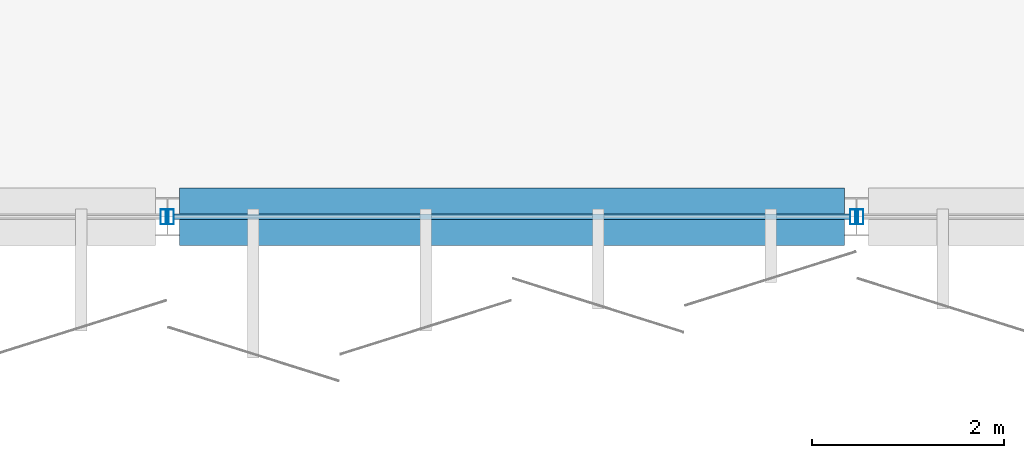
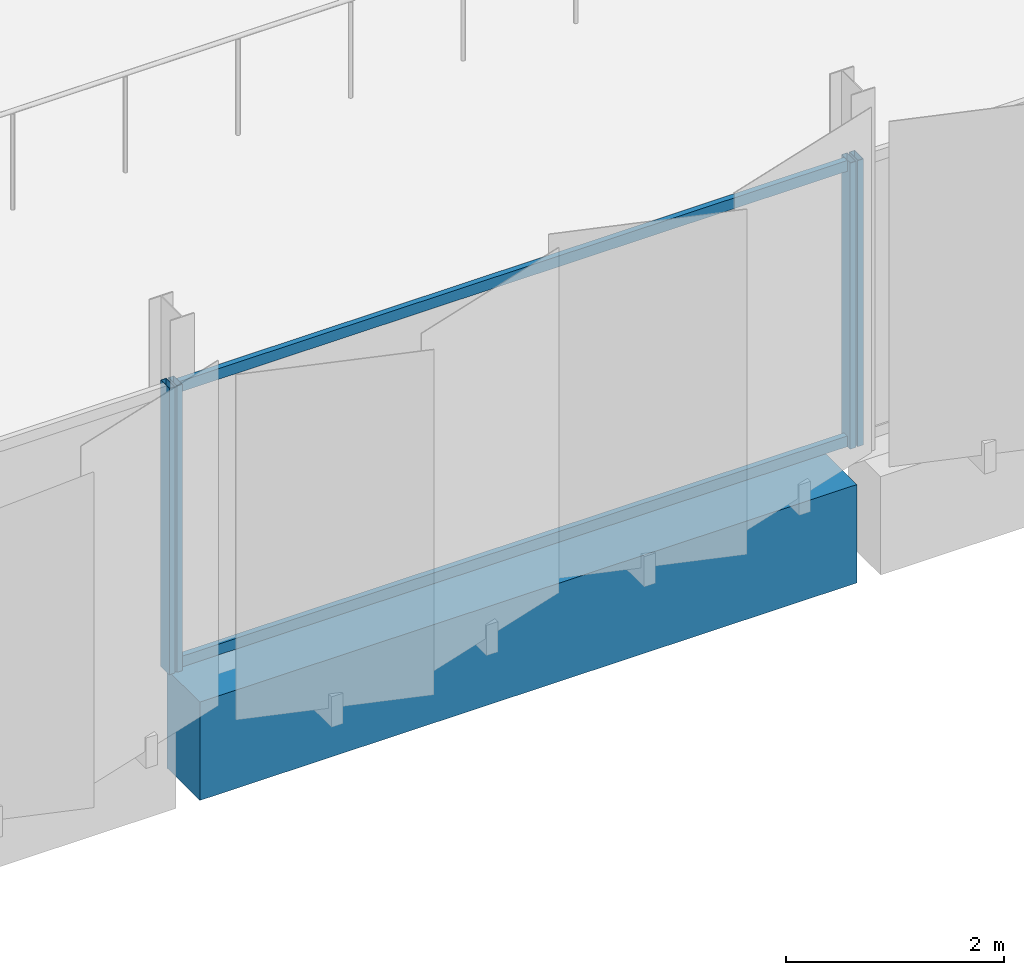
# One storey, part 40 of 107: 6 members, 1 beam, 3 elements without a shape of their own.
"""IFC4 building model written with IfcOpenShell, lengths in metres."""

from ifc_helpers import new_model, si_unit, direction, frame, origin, origin_2d, place, context, subcontext, project, spatial, rectangle, hollow_rectangle, extrude, material, layer, layer_set, material_profile, profile_set, type_object, element, aggregate, save


model = new_model("IFC4")

# Units and contexts
model_context = context("Model", 3, precision=1e-05, world=origin(), true_north=direction((0.0, 1.0)))
body_context = subcontext(model_context, "Body", "Model", "MODEL_VIEW")
ifc_project = project(units=[si_unit("LENGTHUNIT", "METRE"), si_unit("AREAUNIT", "SQUARE_METRE"), si_unit("VOLUMEUNIT", "CUBIC_METRE"), si_unit("PLANEANGLEUNIT", "RADIAN"), si_unit("MASSUNIT", "GRAM", prefix="KILO")], contexts=[model_context])

# Site, building, storey
site_placement = place(None, origin())
site = spatial("IfcSite", under=ifc_project, at=site_placement, CompositionType="ELEMENT")
building_placement = place(site_placement, origin())
building = spatial("IfcBuilding", under=site, at=building_placement, Name="Kangsadwip Square Police Headquarters", CompositionType="ELEMENT")
storey_placement = place(building_placement, frame((0.0, 0.0, 5.39990234375)))
storey = spatial("IfcBuildingStorey", under=building, at=storey_placement, Name="L01", CompositionType="ELEMENT", Elevation=5.39990234375)

# Curtain wall, member
ifc_material_1 = material(Name="Thermally broken anodised aluminium AW-6063-T6", Category="aluminium")
ifc_layer = layer(ifc_material_1, 0.159912109375)
ifc_layer_set = layer_set([ifc_layer], Name="Thermally broken anodised aluminium AW-6063-T6")
curtain_wall_type = type_object("IfcCurtainWallType", Name="CourtScreen7180x3200", PredefinedType="USERDEFINED", material=ifc_layer_set)
curtain_wall_1_placement = place(storey_placement, origin())
curtain_wall_1 = element("IfcCurtainWall", 1, at=curtain_wall_1_placement, inside=storey, type_object=curtain_wall_type, Name="Curtain Wall CW-L01-0576-0864", ObjectType="GLAZED_SCREEN", PredefinedType="USERDEFINED")
ifc_material_2 = material(Name="Thermally broken anodised aluminium AW-6063-T6", Category="aluminium")
ifc_material_profile_1 = material_profile(ifc_material_2, hollow_rectangle(XDim=0.06005859375, YDim=0.159912109375, WallThickness=0.00390625, at=origin_2d()), Name="CWM 160X60X4")
ifc_profile_set_1 = profile_set([ifc_material_profile_1], Name="Thermally broken anodised aluminium AW-6063-T6")
member_type_1 = type_object("IfcMemberType", Name="CwMullion135x60", PredefinedType="MULLION", material=ifc_profile_set_1)
member_1_placement = place(storey_placement, frame((64.760009765625, 86.39990234375, 0.0), z_axis=(0.0, 0.0, 1.0), x_axis=(1.0, 0.0, 0.0)))
member_1 = element("IfcMember", 2, at=member_1_placement, type_object=member_type_1, Name="CW-17 mullion 2", PredefinedType="MULLION", context=body_context, shape_type="SweptSolid", body=[
    extrude(hollow_rectangle(XDim=0.06005859375, YDim=0.159912109375, WallThickness=0.00390625, at=origin_2d()), origin(), (0.0, 0.0, 1.0), 3.2001953125),
])
aggregate(curtain_wall_1, [member_1])

# Curtain wall, members
curtain_wall_2_placement = place(storey_placement, origin())
curtain_wall_2 = element("IfcCurtainWall", 3, at=curtain_wall_2_placement, inside=storey, type_object=curtain_wall_type, Name="Curtain Wall CW-L01-0648-0864", ObjectType="GLAZED_SCREEN", PredefinedType="USERDEFINED")
member_2_placement = place(storey_placement, frame((64.840087890625, 86.39990234375, 0.0), z_axis=(0.0, 0.0, 1.0), x_axis=(1.0, 0.0, 0.0)))
member_2 = element("IfcMember", 4, at=member_2_placement, type_object=member_type_1, Name="CW-17 mullion 1", PredefinedType="MULLION", context=body_context, shape_type="SweptSolid", body=[
    extrude(hollow_rectangle(XDim=0.06005859375, YDim=0.159912109375, WallThickness=0.00390625, at=origin_2d()), origin(), (0.0, 0.0, 1.0), 3.2001953125),
])
member_3_placement = place(storey_placement, frame((71.9599609375, 86.39990234375, 0.0), z_axis=(0.0, 0.0, 1.0), x_axis=(1.0, 0.0, 0.0)))
member_3 = element("IfcMember", 5, at=member_3_placement, type_object=member_type_1, Name="CW-17 mullion 2", PredefinedType="MULLION", context=body_context, shape_type="SweptSolid", body=[
    extrude(hollow_rectangle(XDim=0.06005859375, YDim=0.159912109375, WallThickness=0.00390625, at=origin_2d()), origin(), (0.0, 0.0, 1.0), 3.2001953125),
])

# Curtain wall, member
curtain_wall_3_placement = place(storey_placement, origin())
curtain_wall_3 = element("IfcCurtainWall", 6, at=curtain_wall_3_placement, inside=storey, type_object=curtain_wall_type, Name="Curtain Wall CW-L01-0720-0864", ObjectType="GLAZED_SCREEN", PredefinedType="USERDEFINED")
member_4_placement = place(storey_placement, frame((72.0400390625, 86.39990234375, 0.0), z_axis=(0.0, 0.0, 1.0), x_axis=(1.0, 0.0, 0.0)))
member_4 = element("IfcMember", 7, at=member_4_placement, type_object=member_type_1, Name="CW-17 mullion 1", PredefinedType="MULLION", context=body_context, shape_type="SweptSolid", body=[
    extrude(hollow_rectangle(XDim=0.06005859375, YDim=0.159912109375, WallThickness=0.00390625, at=origin_2d()), origin(), (0.0, 0.0, 1.0), 3.2001953125),
])
aggregate(curtain_wall_3, [member_4])

# Member
ifc_material_3 = material(Name="Thermally broken anodised aluminium AW-6063-T6", Category="aluminium")
ifc_material_profile_2 = material_profile(ifc_material_3, hollow_rectangle(XDim=0.06005859375, YDim=0.1201171875, WallThickness=0.00390625, at=origin_2d()), Name="CWT 120X60X4")
ifc_profile_set_2 = profile_set([ifc_material_profile_2], Name="Thermally broken anodised aluminium AW-6063-T6")
member_type_2 = type_object("IfcMemberType", Name="CwTransom120x55", PredefinedType="USERDEFINED", material=ifc_profile_set_2)
member_5_placement = place(storey_placement, frame((64.8701171875, 86.39990234375, 0.06005859375), z_axis=(1.0, 0.0, 0.0), x_axis=(0.0, 1.0, 0.0)))
member_5 = element("IfcMember", 8, at=member_5_placement, type_object=member_type_2, Name="CW-17 transom 1.1", ObjectType="TRANSOM", PredefinedType="USERDEFINED", context=body_context, shape_type="SweptSolid", body=[
    extrude(hollow_rectangle(XDim=0.06005859375, YDim=0.1201171875, WallThickness=0.00390625, at=origin_2d()), origin(), (0.0, 0.0, 1.0), 7.059814453125),
])

member_6_placement = place(storey_placement, frame((64.8701171875, 86.39990234375, 3.14013671875), z_axis=(1.0, 0.0, 0.0), x_axis=(0.0, 1.0, 0.0)))
member_6 = element("IfcMember", 9, at=member_6_placement, type_object=member_type_2, Name="CW-17 transom 1.2", ObjectType="TRANSOM", PredefinedType="USERDEFINED", context=body_context, shape_type="SweptSolid", body=[
    extrude(hollow_rectangle(XDim=0.06005859375, YDim=0.1201171875, WallThickness=0.00390625, at=origin_2d()), origin(), (0.0, 0.0, 1.0), 7.059814453125),
])

aggregate(curtain_wall_2, [member_2, member_3, member_5, member_6])

# Beam
ifc_material_4 = material(Name="Concrete M40 (40 MPa)", Category="concrete")
ifc_material_profile_3 = material_profile(ifc_material_4, rectangle(XDim=0.60009765625, YDim=1.10009765625, at=origin_2d()), Name="RC TG 1100X600")
ifc_profile_set_3 = profile_set([ifc_material_profile_3], Name="Concrete M40 (40 MPa)")
beam_type = type_object("IfcBeamType", Name="RcTransfer1100x600", PredefinedType="USERDEFINED", material=ifc_profile_set_3)
beam_placement = place(storey_placement, frame((64.925048828125, 86.39990234375, -0.789794921875), z_axis=(1.0, 0.0, 0.0), x_axis=(0.0, 1.0, 0.0)))
element("IfcBeam", 10, at=beam_placement, inside=storey, type_object=beam_type, Name="Beam BM-L01-X-09-12", ObjectType="TRANSFER_GIRDER", PredefinedType="USERDEFINED", context=body_context, shape_type="SweptSolid", body=[
    extrude(rectangle(XDim=0.60009765625, YDim=1.10009765625, at=origin_2d()), origin(), (0.0, 0.0, 1.0), 6.949951171875),
])

save(model, "model.ifc")
